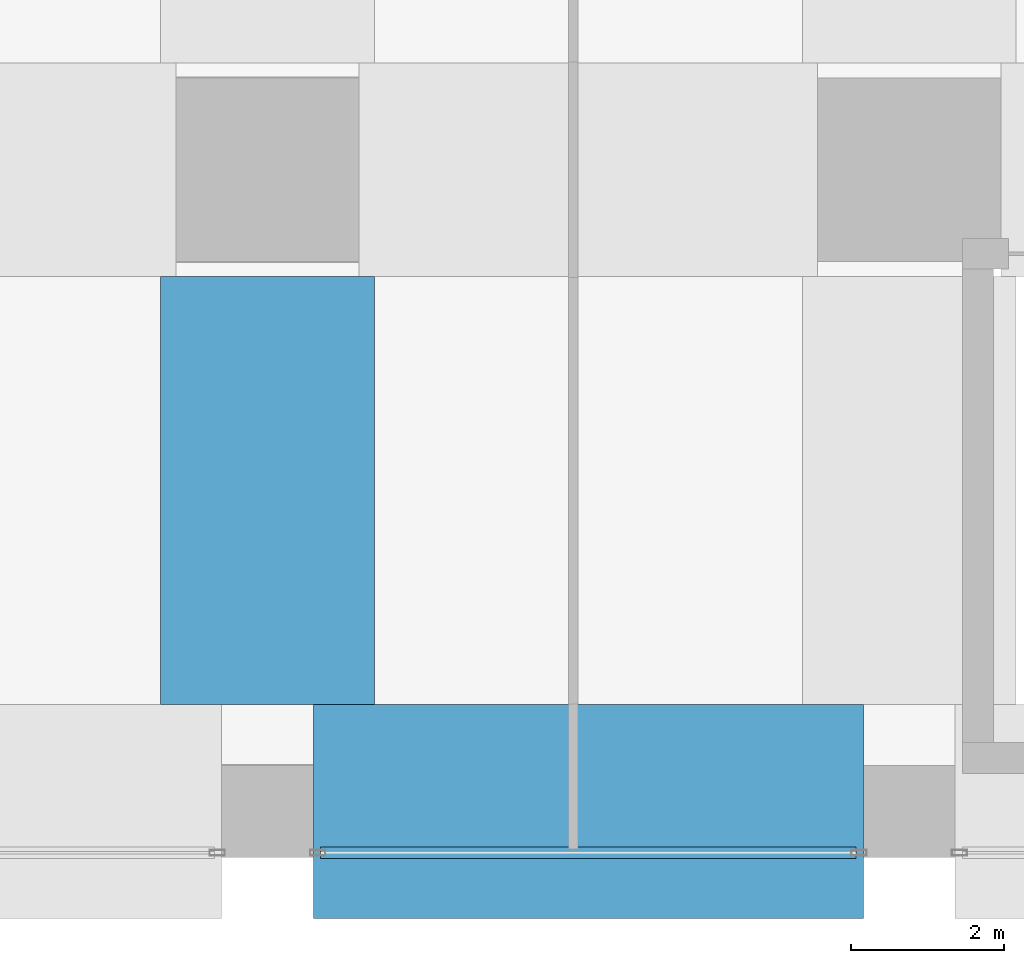
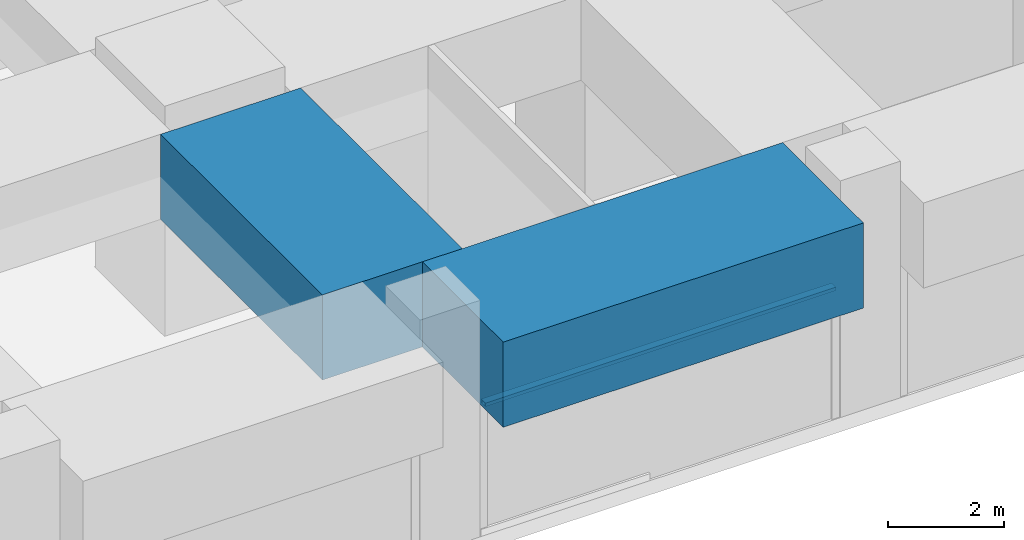
# One storey, part 4 of 52: 2 beams, 1 member, 1 element without a shape of its own.
"""IFC4 building model written with IfcOpenShell, lengths in metres."""

import ifcopenshell
import ifcopenshell.guid

model = None  # the IFC model being written
_history = None  # IfcOwnerHistory: only IFC2X3 demands one
_inside = {}  # id of a spatial element -> (the spatial element, [elements in it])
_under = {}  # id of a project, library or spatial element -> (it, [spatial elements below it])
_declared = {}  # id of a project -> (the project, [libraries it declares])
_typed = {}  # id of a type object -> (the type object, [elements of that type])
_made_of = {}  # id of a material, layer set ... -> (it, [elements and type objects made of it])


def new_model(schema):
    """Start an empty IFC model of exactly this schema.

    Asked for "IFC4X3", IfcOpenShell would pick the latest addendum, in which some entities
    have other attributes; the version numbers below select the first issue.
    IFC2X3 requires an IfcOwnerHistory on every rooted entity: one is made here for all.
    """
    global model, _history
    if schema == "IFC4X3":
        model = ifcopenshell.file(schema_version=(4, 3, 0, 0))
    else:
        model = ifcopenshell.file(schema=schema)
    _inside.clear()
    _under.clear()
    _declared.clear()
    _typed.clear()
    _made_of.clear()
    _history = None
    if model.schema == "IFC2X3":
        org = make("IfcOrganization", Name="unknown")
        user = make(
            "IfcPersonAndOrganization",
            ThePerson=make("IfcPerson", FamilyName="unknown"),
            TheOrganization=org,
        )
        app = make(
            "IfcApplication",
            ApplicationDeveloper=org,
            Version="unknown",
            ApplicationFullName="unknown",
            ApplicationIdentifier="unknown",
        )
        _history = make(
            "IfcOwnerHistory",
            OwningUser=user,
            OwningApplication=app,
            ChangeAction="ADDED",
            CreationDate=0,
        )
    return model


def make(cls, **values):
    """One entity of the class cls with the attributes given. An attribute that is None is left unset."""
    return model.create_entity(
        cls, **{name: value for name, value in values.items() if value is not None}
    )


def rooted(cls, **values):
    """An entity with a GlobalId (a new one), such as an element, a storey or a relation."""
    return make(cls, GlobalId=ifcopenshell.guid.new(), OwnerHistory=_history, **values)


def si_unit(unit_type, name, prefix=None):
    """IfcSIUnit, for example si_unit("LENGTHUNIT", "METRE", prefix="MILLI")."""
    return make("IfcSIUnit", UnitType=unit_type, Prefix=prefix, Name=name)


def assignment(units):
    """IfcUnitAssignment: the units of a project."""
    return None if units is None else make("IfcUnitAssignment", Units=units)


def point(xyz):
    """IfcCartesianPoint."""
    return None if xyz is None else make("IfcCartesianPoint", Coordinates=xyz)


def direction(xyz):
    """IfcDirection."""
    return None if xyz is None else make("IfcDirection", DirectionRatios=xyz)


def frame(location, z_axis=None, x_axis=None):
    """IfcAxis2Placement3D, a coordinate frame: its origin and axes. An axis left out is left unset."""
    return make(
        "IfcAxis2Placement3D",
        Location=point(location),
        Axis=direction(z_axis),
        RefDirection=direction(x_axis),
    )


def frame_2d(location, x_axis=None):
    """IfcAxis2Placement2D, a coordinate frame in the plane: its origin and x axis."""
    return make(
        "IfcAxis2Placement2D", Location=point(location), RefDirection=direction(x_axis)
    )


def origin():
    """The frame at (0, 0, 0) with its axes left unset."""
    return frame((0.0, 0.0, 0.0))


def origin_2d():
    """The frame at (0, 0) in the plane with its x axis left unset."""
    return frame_2d((0.0, 0.0))


def place(relative_to, where):
    """IfcLocalPlacement: puts the frame where relative to a parent placement (None: the world)."""
    return make(
        "IfcLocalPlacement", PlacementRelTo=relative_to, RelativePlacement=where
    )


def context(
    kind, dimensions, precision=None, world=None, true_north=None, identifier=None
):
    """IfcGeometricRepresentationContext, for example the 3D "Model" context."""
    return make(
        "IfcGeometricRepresentationContext",
        ContextIdentifier=identifier,
        ContextType=kind,
        CoordinateSpaceDimension=dimensions,
        Precision=precision,
        WorldCoordinateSystem=world,
        TrueNorth=true_north,
    )


def subcontext(parent, identifier, kind, view, scale=None):
    """IfcGeometricRepresentationSubContext, for example "Body" below "Model"."""
    return make(
        "IfcGeometricRepresentationSubContext",
        ContextIdentifier=identifier,
        ContextType=kind,
        ParentContext=parent,
        TargetScale=scale,
        TargetView=view,
    )


def project(units=None, contexts=None):
    """IfcProject with its units and contexts."""
    return rooted(
        "IfcProject",
        Name="project",
        RepresentationContexts=contexts,
        UnitsInContext=assignment(units),
    )


def spatial(cls, under=None, at=None, **own):
    """A site, building, storey or space (cls), placed at a placement, below another one or the project."""
    s = rooted(cls, ObjectPlacement=at, **own)
    if under is not None:
        _under.setdefault(under.id(), (under, []))[1].append(s)
    return s


def profile(cls, at=None, kind="AREA", **sizes):
    """A parametric profile (cls). Its sizes go by their IFC names, for example OverallWidth=200.0."""
    return make(cls, ProfileType=kind, Position=at, **sizes)


def rectangle(**sizes):
    """IfcRectangleProfileDef."""
    return profile("IfcRectangleProfileDef", **sizes)


def hollow_rectangle(**sizes):
    """IfcRectangleHollowProfileDef."""
    return profile("IfcRectangleHollowProfileDef", **sizes)


def extrude(swept, where, along, depth):
    """IfcExtrudedAreaSolid: the profile swept, set in the frame where, extruded along a direction by depth."""
    return make(
        "IfcExtrudedAreaSolid",
        SweptArea=swept,
        Position=where,
        ExtrudedDirection=direction(along),
        Depth=depth,
    )


def shape(context_of_items, identifier, shape_type, items):
    """IfcShapeRepresentation: the items that make up one representation, for example the "Body"."""
    return make(
        "IfcShapeRepresentation",
        ContextOfItems=context_of_items,
        RepresentationIdentifier=identifier,
        RepresentationType=shape_type,
        Items=items,
    )


def material(Name=None, Category=None):
    """IfcMaterial."""
    return make("IfcMaterial", Name=Name, Category=Category)


def material_profile(
    of_material, cross_section, Name=None, Category=None, Priority=None
):
    """IfcMaterialProfile: a cross section and its material."""
    return make(
        "IfcMaterialProfile",
        Name=Name,
        Material=of_material,
        Profile=cross_section,
        Priority=Priority,
        Category=Category,
    )


def profile_set(profiles, Name=None, composite=None):
    """IfcMaterialProfileSet."""
    return make(
        "IfcMaterialProfileSet",
        Name=Name,
        MaterialProfiles=profiles,
        CompositeProfile=composite,
    )


def made_of(thing, what):
    """Note that an element or type object is made of a material, layer set ...; save() writes the relation."""
    if what is not None:
        _made_of.setdefault(what.id(), (what, []))[1].append(thing)
    return thing


def type_object(cls, material=None, **own):
    """A type object (cls), such as IfcWallType, which elements share."""
    return made_of(rooted(cls, **own), material)


def element(
    cls,
    number,
    at=None,
    inside=None,
    cuts=None,
    type_object=None,
    material=None,
    context=None,
    identifier="Body",
    shape_type=None,
    held_by="IfcProductDefinitionShape",
    body=None,
    shapes=None,
    **own,
):
    """One element of the class cls, such as IfcWall. Its Tag is "e" and its number.

    at: its placement. inside: the storey or other place that contains it. cuts: it is an
    opening in that element (IfcRelVoidsElement). A single representation is given by context,
    identifier, shape_type and body (its items); several are given by shapes. held_by: the class
    of the entity that holds the representations. save() writes the other relations.
    """
    e = rooted(cls, Tag="e%d" % number, ObjectPlacement=at, **own)
    if body is not None:
        shapes = [shape(context, identifier, shape_type, body)]
    if shapes is not None:
        e.Representation = make(held_by, Representations=shapes)
    if inside is not None:
        _inside.setdefault(inside.id(), (inside, []))[1].append(e)
    if cuts is not None:
        rooted(
            "IfcRelVoidsElement", RelatingBuildingElement=cuts, RelatedOpeningElement=e
        )
    if type_object is not None:
        _typed.setdefault(type_object.id(), (type_object, []))[1].append(e)
    return made_of(e, material)


def aggregate(whole, parts):
    """IfcRelAggregates: a whole, such as a stair, and the parts it consists of."""
    return rooted("IfcRelAggregates", RelatingObject=whole, RelatedObjects=parts)


def save(model, path):
    """Write the relations noted so far, then the file.

    IfcRelAggregates (storeys below a building ...), IfcRelContainedInSpatialStructure (elements
    in a storey), IfcRelDefinesByType, IfcRelAssociatesMaterial and IfcRelDeclares: one each for
    every whole, place, type object, material and project.
    """
    for whole, parts in _under.values():
        aggregate(whole, parts)
    for where, things in _inside.values():
        rooted(
            "IfcRelContainedInSpatialStructure",
            RelatedElements=things,
            RelatingStructure=where,
        )
    for kind, things in _typed.values():
        rooted("IfcRelDefinesByType", RelatedObjects=things, RelatingType=kind)
    for what, things in _made_of.values():
        rooted("IfcRelAssociatesMaterial", RelatedObjects=things, RelatingMaterial=what)
    for by, libraries in _declared.values():
        rooted("IfcRelDeclares", RelatingContext=by, RelatedDefinitions=libraries)
    model.write(path)


model = new_model("IFC4")

# Units and contexts
model_context = context("Model", 3, precision=1e-05, world=origin(), true_north=direction((0.0, 1.0)))
body_context = subcontext(model_context, "Body", "Model", "MODEL_VIEW")
ifc_project = project(units=[si_unit("LENGTHUNIT", "METRE"), si_unit("AREAUNIT", "SQUARE_METRE"), si_unit("VOLUMEUNIT", "CUBIC_METRE"), si_unit("PLANEANGLEUNIT", "RADIAN"), si_unit("MASSUNIT", "GRAM", prefix="KILO")], contexts=[model_context])

# Site, building, storey
site_placement = place(None, origin())
site = spatial("IfcSite", under=ifc_project, at=site_placement, CompositionType="ELEMENT")
building_placement = place(site_placement, origin())
building = spatial("IfcBuilding", under=site, at=building_placement, Name="Rekha Terrace Tower", CompositionType="ELEMENT")
storey_placement = place(building_placement, frame((0.0, 0.0, 20.39990234375)))
storey = spatial("IfcBuildingStorey", under=building, at=storey_placement, Name="L04", CompositionType="ELEMENT", Elevation=20.39990234375)

# Curtain wall, member
ifc_material_1 = material(Name="Aluminium framing", Category="aluminium")
curtain_wall_type = type_object("IfcCurtainWallType", Name="CW4 podium shopfront glazing", PredefinedType="USERDEFINED", material=ifc_material_1)
curtain_wall_placement = place(storey_placement, origin())
curtain_wall = element("IfcCurtainWall", 1, at=curtain_wall_placement, inside=storey, type_object=curtain_wall_type, Name="CW4 shopfront curtain wall", ObjectType="SHOPFRONT CURTAIN WALL", PredefinedType="USERDEFINED")
ifc_material_2 = material(Name="Aluminium transom section", Category="aluminium")
ifc_material_profile_1 = material_profile(ifc_material_2, hollow_rectangle(XDim=0.14990234375, YDim=0.074951171875, WallThickness=0.0029296875, at=origin_2d()), Name="AL RHS 150x75")
ifc_profile_set_1 = profile_set([ifc_material_profile_1], Name="Aluminium transom section")
member_type = type_object("IfcMemberType", Name="CW4 transom RHS 75 x 150", PredefinedType="USERDEFINED", material=ifc_profile_set_1)
member_placement = place(storey_placement, frame((9.094970703125, -0.5400390625, 2.7626953125), z_axis=(1.0, 0.0, 0.0), x_axis=(0.0, 1.0, 0.0)))
member = element("IfcMember", 2, at=member_placement, type_object=member_type, Name="CW4 transom 1.2", ObjectType="TRANSOM", PredefinedType="USERDEFINED", context=body_context, shape_type="SweptSolid", body=[
    extrude(hollow_rectangle(XDim=0.14990234375, YDim=0.074951171875, WallThickness=0.0029296875, at=origin_2d()), origin(), (0.0, 0.0, 1.0), 7.010009765625),
])
aggregate(curtain_wall, [member])

# Beams
ifc_material_3 = material(Name="Concrete M70", Category="concrete")
ifc_material_profile_2 = material_profile(ifc_material_3, rectangle(XDim=2.800048828125, YDim=1.800048828125, at=origin_2d()), Name="RC 2800x1800")
ifc_profile_set_2 = profile_set([ifc_material_profile_2], Name="Concrete M70")
beam_type = type_object("IfcBeamType", Name="G2 2800x1800 podium roof band beam", PredefinedType="BEAM", material=ifc_profile_set_2)
beam_1_placement = place(storey_placement, frame((9.0, 0.0, 3.7001953125), z_axis=(1.0, 0.0, 0.0), x_axis=(0.0, 1.0, 0.0)))
element("IfcBeam", 3, at=beam_1_placement, inside=storey, type_object=beam_type, Name="Beam G2 2A-3A under L05", PredefinedType="BEAM", context=body_context, shape_type="SweptSolid", body=[
    extrude(rectangle(XDim=2.800048828125, YDim=1.800048828125, at=origin_2d()), origin(), (0.0, 0.0, 1.0), 7.199951171875),
])
beam_2_placement = place(storey_placement, frame((8.39990234375, 1.39990234375, 3.7001953125), z_axis=(0.0, 1.0, 0.0), x_axis=(-1.0, 0.0, 0.0)))
element("IfcBeam", 4, at=beam_2_placement, inside=storey, type_object=beam_type, Name="Beam G2 2A-2B under L05", PredefinedType="BEAM", context=body_context, shape_type="SweptSolid", body=[
    extrude(rectangle(XDim=2.800048828125, YDim=1.800048828125, at=origin_2d()), origin(), (0.0, 0.0, 1.0), 5.60009765625),
])

save(model, "model.ifc")
